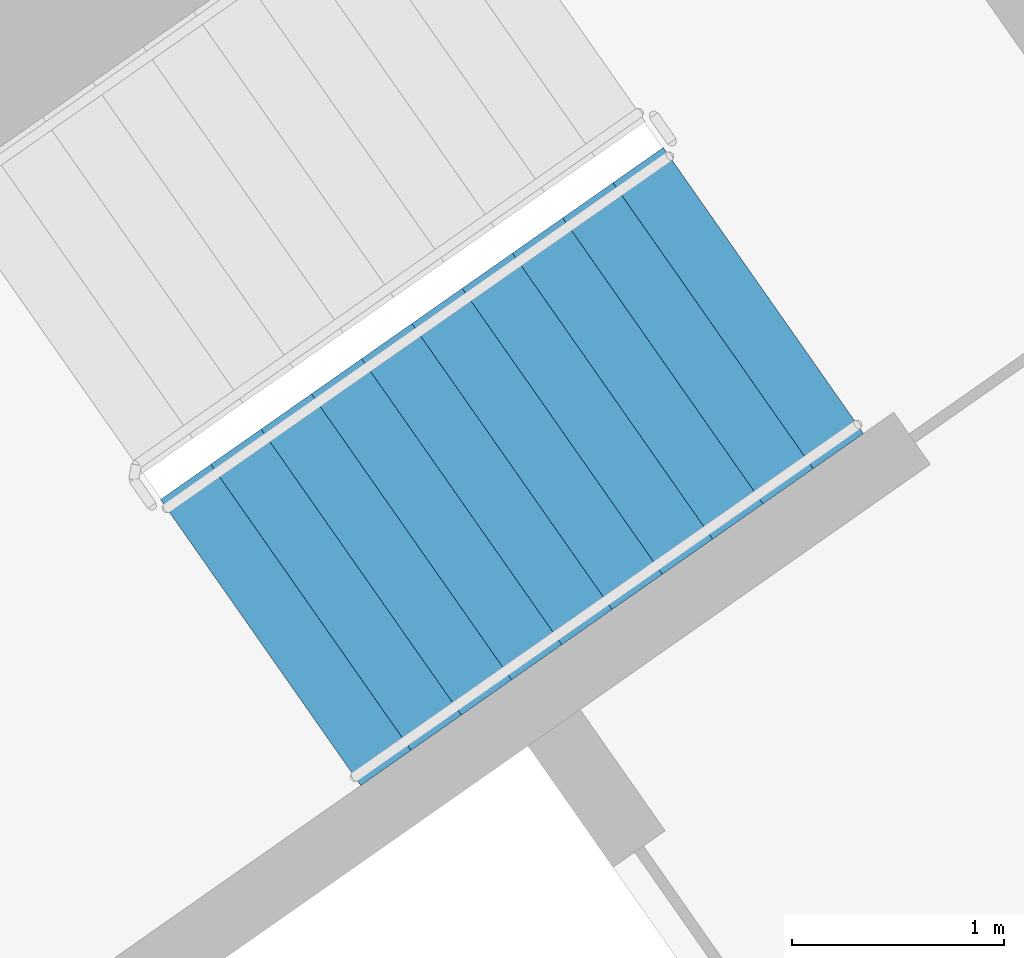
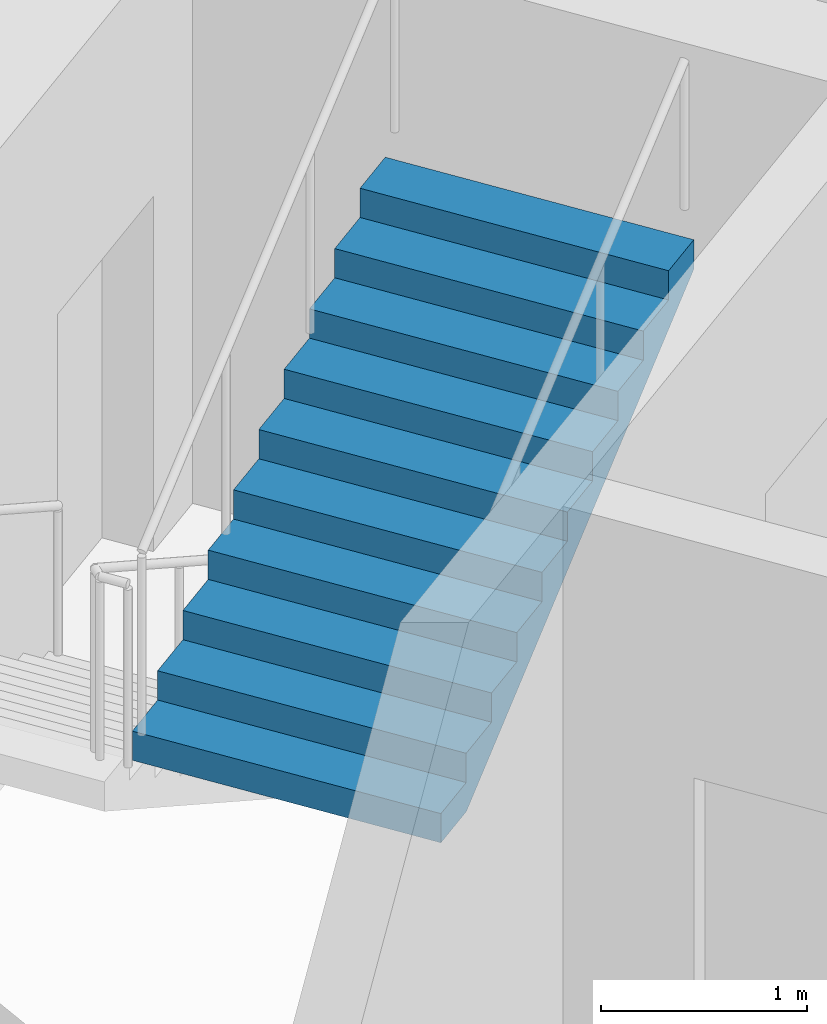
# One storey, part 16 of 28: 1 stair flight, 1 element without a shape of its own.
"""IFC4 building model written with IfcOpenShell, lengths in metres."""

from ifc_helpers import new_model, si_unit, direction, frame, origin, place, context, subcontext, project, spatial, faceted_brep, material, type_object, element, aggregate, save


model = new_model("IFC4")

# Units and contexts
model_context = context("Model", 3, precision=1e-05, world=origin(), true_north=direction((0.0, 1.0)))
body_context = subcontext(model_context, "Body", "Model", "MODEL_VIEW")
ifc_project = project(units=[si_unit("LENGTHUNIT", "METRE"), si_unit("AREAUNIT", "SQUARE_METRE"), si_unit("VOLUMEUNIT", "CUBIC_METRE"), si_unit("PLANEANGLEUNIT", "RADIAN"), si_unit("MASSUNIT", "GRAM", prefix="KILO")], contexts=[model_context])

# Site, building, storey
site_placement = place(None, origin())
site = spatial("IfcSite", under=ifc_project, at=site_placement, CompositionType="ELEMENT")
building_placement = place(site_placement, origin())
building = spatial("IfcBuilding", under=site, at=building_placement, Name="Qamariyya Broadcast Tower", CompositionType="ELEMENT")
storey_placement = place(building_placement, frame((0.0, 0.0, 234.10009765625)))
storey = spatial("IfcBuildingStorey", under=building, at=storey_placement, Name="L56", CompositionType="ELEMENT", Elevation=234.10009765625)

# Stair, stair flight
ifc_material = material(Name="Concrete C50/60", Category="concrete")
stair_type = type_object("IfcStairType", Name="Exit stair 22 risers of 173 mm", PredefinedType="HALF_TURN_STAIR", material=ifc_material)
stair_placement = place(storey_placement, origin())
stair = element("IfcStair", 1, at=stair_placement, inside=storey, type_object=stair_type, Name="L56 Stair E2", PredefinedType="HALF_TURN_STAIR")
stair_flight_type = type_object("IfcStairFlightType", Name="Exit stair flight 11 risers of 173 mm", PredefinedType="STRAIGHT", material=ifc_material)
stair_flight_placement = place(storey_placement, frame((39.215576171875, -50.822998046875, 1.89990234375), z_axis=(0.0, 0.0, 1.0), x_axis=(0.819152044289, 0.573576436351, 0.0)))
stair_flight = element("IfcStairFlight", 2, at=stair_flight_placement, type_object=stair_flight_type, Name="ST-E2 flight 2", NumberOfRisers=11, NumberOfTreads=10, PredefinedType="STRAIGHT", RiserHeight=0.172727273, TreadLength=0.29, context=body_context, shape_type="Brep", body=[
    faceted_brep([(0.0, 0.824951171875, 0.0), (0.0, 0.824951171875, 0.172607421875), (0.2900390625, 0.824951171875, 0.172607421875), (0.2900390625, 0.824951171875, 0.345458984375), (0.580078125, 0.824951171875, 0.345458984375), (0.580078125, 0.824951171875, 0.51806640625), (0.8701171875, 0.824951171875, 0.51806640625), (0.8701171875, 0.824951171875, 0.69091796875), (1.159912109375, 0.824951171875, 0.69091796875), (1.159912109375, 0.824951171875, 0.863525390625), (1.449951171875, 0.824951171875, 0.863525390625), (1.449951171875, 0.824951171875, 1.036376953125), (1.739990234375, 0.824951171875, 1.036376953125), (1.739990234375, 0.824951171875, 1.208984375), (2.030029296875, 0.824951171875, 1.208984375), (2.030029296875, 0.824951171875, 1.3818359375), (2.320068359375, 0.824951171875, 1.3818359375), (2.320068359375, 0.824951171875, 1.554443359375), (2.610107421875, 0.824951171875, 1.554443359375), (2.610107421875, 0.824951171875, 1.727294921875), (2.89990234375, 0.824951171875, 1.727294921875), (2.89990234375, 0.824951171875, 1.552734375), (0.29296875, 0.824951171875, 0.0), (0.29296875, -0.824951171875, 0.0), (2.89990234375, -0.824951171875, 1.552734375), (2.89990234375, -0.824951171875, 1.727294921875), (2.610107421875, -0.824951171875, 1.727294921875), (2.610107421875, -0.824951171875, 1.554443359375), (2.320068359375, -0.824951171875, 1.554443359375), (2.320068359375, -0.824951171875, 1.3818359375), (2.030029296875, -0.824951171875, 1.3818359375), (2.030029296875, -0.824951171875, 1.208984375), (1.739990234375, -0.824951171875, 1.208984375), (1.739990234375, -0.824951171875, 1.036376953125), (1.449951171875, -0.824951171875, 1.036376953125), (1.449951171875, -0.824951171875, 0.863525390625), (1.159912109375, -0.824951171875, 0.863525390625), (1.159912109375, -0.824951171875, 0.69091796875), (0.8701171875, -0.824951171875, 0.69091796875), (0.8701171875, -0.824951171875, 0.51806640625), (0.580078125, -0.824951171875, 0.51806640625), (0.580078125, -0.824951171875, 0.345458984375), (0.2900390625, -0.824951171875, 0.345458984375), (0.2900390625, -0.824951171875, 0.172607421875), (0.0, -0.824951171875, 0.172607421875), (0.0, -0.824951171875, 0.0), (0.0, 0.10009765625, 0.0), (0.0, 0.086669921875, 0.0), (0.0, 0.0732421875, 0.0), (0.0, 0.06005859375, 0.0), (0.0, 0.046630859375, 0.0), (0.0, 0.033447265625, 0.0), (0.0, 0.02001953125, 0.0), (0.0, 0.006591796875, 0.0), (0.0, -0.006591796875, 0.0), (0.0, -0.02001953125, 0.0), (0.0, -0.033447265625, 0.0), (0.0, -0.046630859375, 0.0), (0.0, -0.06005859375, 0.0), (0.0, -0.0732421875, 0.0), (0.0, -0.086669921875, 0.0), (0.0, -0.10009765625, 0.0), (0.0, -0.10009765625, 0.172607421875), (0.0, -0.086669921875, 0.172607421875), (0.0, -0.0732421875, 0.172607421875), (0.0, -0.06005859375, 0.172607421875), (0.0, -0.046630859375, 0.172607421875), (0.0, -0.033447265625, 0.172607421875), (0.0, -0.02001953125, 0.172607421875), (0.0, -0.006591796875, 0.172607421875), (0.0, 0.006591796875, 0.172607421875), (0.0, 0.02001953125, 0.172607421875), (0.0, 0.033447265625, 0.172607421875), (0.0, 0.046630859375, 0.172607421875), (0.0, 0.06005859375, 0.172607421875), (0.0, 0.0732421875, 0.172607421875), (0.0, 0.086669921875, 0.172607421875), (0.0, 0.10009765625, 0.172607421875), (0.2900390625, -0.10009765625, 0.172607421875), (0.2900390625, -0.086669921875, 0.172607421875), (0.2900390625, -0.0732421875, 0.172607421875), (0.2900390625, -0.06005859375, 0.172607421875), (0.2900390625, -0.046630859375, 0.172607421875), (0.2900390625, -0.033447265625, 0.172607421875), (0.2900390625, -0.02001953125, 0.172607421875), (0.2900390625, -0.006591796875, 0.172607421875), (0.2900390625, 0.006591796875, 0.172607421875), (0.2900390625, 0.02001953125, 0.172607421875), (0.2900390625, 0.033447265625, 0.172607421875), (0.2900390625, 0.046630859375, 0.172607421875), (0.2900390625, 0.06005859375, 0.172607421875), (0.2900390625, 0.0732421875, 0.172607421875), (0.2900390625, 0.086669921875, 0.172607421875), (0.2900390625, 0.10009765625, 0.172607421875), (0.2900390625, -0.10009765625, 0.345458984375), (0.2900390625, -0.086669921875, 0.345458984375), (0.2900390625, -0.0732421875, 0.345458984375), (0.2900390625, -0.06005859375, 0.345458984375), (0.2900390625, -0.046630859375, 0.345458984375), (0.2900390625, -0.033447265625, 0.345458984375), (0.2900390625, -0.02001953125, 0.345458984375), (0.2900390625, -0.006591796875, 0.345458984375), (0.2900390625, 0.006591796875, 0.345458984375), (0.2900390625, 0.02001953125, 0.345458984375), (0.2900390625, 0.033447265625, 0.345458984375), (0.2900390625, 0.046630859375, 0.345458984375), (0.2900390625, 0.06005859375, 0.345458984375), (0.2900390625, 0.0732421875, 0.345458984375), (0.2900390625, 0.086669921875, 0.345458984375), (0.2900390625, 0.10009765625, 0.345458984375), (0.580078125, -0.10009765625, 0.345458984375), (0.580078125, -0.086669921875, 0.345458984375), (0.580078125, -0.0732421875, 0.345458984375), (0.580078125, -0.06005859375, 0.345458984375), (0.580078125, -0.046630859375, 0.345458984375), (0.580078125, -0.033447265625, 0.345458984375), (0.580078125, -0.02001953125, 0.345458984375), (0.580078125, -0.006591796875, 0.345458984375), (0.580078125, 0.006591796875, 0.345458984375), (0.580078125, 0.02001953125, 0.345458984375), (0.580078125, 0.033447265625, 0.345458984375), (0.580078125, 0.046630859375, 0.345458984375), (0.580078125, 0.06005859375, 0.345458984375), (0.580078125, 0.0732421875, 0.345458984375), (0.580078125, 0.086669921875, 0.345458984375), (0.580078125, 0.10009765625, 0.345458984375), (0.580078125, -0.10009765625, 0.51806640625), (0.580078125, -0.086669921875, 0.51806640625), (0.580078125, -0.0732421875, 0.51806640625), (0.580078125, -0.06005859375, 0.51806640625), (0.580078125, -0.046630859375, 0.51806640625), (0.580078125, -0.033447265625, 0.51806640625), (0.580078125, -0.02001953125, 0.51806640625), (0.580078125, -0.006591796875, 0.51806640625), (0.580078125, 0.006591796875, 0.51806640625), (0.580078125, 0.02001953125, 0.51806640625), (0.580078125, 0.033447265625, 0.51806640625), (0.580078125, 0.046630859375, 0.51806640625), (0.580078125, 0.06005859375, 0.51806640625), (0.580078125, 0.0732421875, 0.51806640625), (0.580078125, 0.086669921875, 0.51806640625), (0.580078125, 0.10009765625, 0.51806640625), (0.8701171875, -0.10009765625, 0.51806640625), (0.8701171875, -0.086669921875, 0.51806640625), (0.8701171875, -0.0732421875, 0.51806640625), (0.8701171875, -0.06005859375, 0.51806640625), (0.8701171875, -0.046630859375, 0.51806640625), (0.8701171875, -0.033447265625, 0.51806640625), (0.8701171875, -0.02001953125, 0.51806640625), (0.8701171875, -0.006591796875, 0.51806640625), (0.8701171875, 0.006591796875, 0.51806640625), (0.8701171875, 0.02001953125, 0.51806640625), (0.8701171875, 0.033447265625, 0.51806640625), (0.8701171875, 0.046630859375, 0.51806640625), (0.8701171875, 0.06005859375, 0.51806640625), (0.8701171875, 0.0732421875, 0.51806640625), (0.8701171875, 0.086669921875, 0.51806640625), (0.8701171875, 0.10009765625, 0.51806640625), (0.8701171875, -0.10009765625, 0.69091796875), (0.8701171875, -0.086669921875, 0.69091796875), (0.8701171875, -0.0732421875, 0.69091796875), (0.8701171875, -0.06005859375, 0.69091796875), (0.8701171875, -0.046630859375, 0.69091796875), (0.8701171875, -0.033447265625, 0.69091796875), (0.8701171875, -0.02001953125, 0.69091796875), (0.8701171875, -0.006591796875, 0.69091796875), (0.8701171875, 0.006591796875, 0.69091796875), (0.8701171875, 0.02001953125, 0.69091796875), (0.8701171875, 0.033447265625, 0.69091796875), (0.8701171875, 0.046630859375, 0.69091796875), (0.8701171875, 0.06005859375, 0.69091796875), (0.8701171875, 0.0732421875, 0.69091796875), (0.8701171875, 0.086669921875, 0.69091796875), (0.8701171875, 0.10009765625, 0.69091796875), (1.159912109375, -0.10009765625, 0.69091796875), (1.159912109375, -0.086669921875, 0.69091796875), (1.159912109375, -0.0732421875, 0.69091796875), (1.159912109375, -0.06005859375, 0.69091796875), (1.159912109375, -0.046630859375, 0.69091796875), (1.159912109375, -0.033447265625, 0.69091796875), (1.159912109375, -0.02001953125, 0.69091796875), (1.159912109375, -0.006591796875, 0.69091796875), (1.159912109375, 0.006591796875, 0.69091796875), (1.159912109375, 0.02001953125, 0.69091796875), (1.159912109375, 0.033447265625, 0.69091796875), (1.159912109375, 0.046630859375, 0.69091796875), (1.159912109375, 0.06005859375, 0.69091796875), (1.159912109375, 0.0732421875, 0.69091796875), (1.159912109375, 0.086669921875, 0.69091796875), (1.159912109375, 0.10009765625, 0.69091796875), (1.159912109375, -0.10009765625, 0.863525390625), (1.159912109375, -0.086669921875, 0.863525390625), (1.159912109375, -0.0732421875, 0.863525390625), (1.159912109375, -0.06005859375, 0.863525390625), (1.159912109375, -0.046630859375, 0.863525390625), (1.159912109375, -0.033447265625, 0.863525390625), (1.159912109375, -0.02001953125, 0.863525390625), (1.159912109375, -0.006591796875, 0.863525390625), (1.159912109375, 0.006591796875, 0.863525390625), (1.159912109375, 0.02001953125, 0.863525390625), (1.159912109375, 0.033447265625, 0.863525390625), (1.159912109375, 0.046630859375, 0.863525390625), (1.159912109375, 0.06005859375, 0.863525390625), (1.159912109375, 0.0732421875, 0.863525390625), (1.159912109375, 0.086669921875, 0.863525390625), (1.159912109375, 0.10009765625, 0.863525390625), (1.449951171875, -0.10009765625, 0.863525390625), (1.449951171875, -0.086669921875, 0.863525390625), (1.449951171875, -0.0732421875, 0.863525390625), (1.449951171875, -0.06005859375, 0.863525390625), (1.449951171875, -0.046630859375, 0.863525390625), (1.449951171875, -0.033447265625, 0.863525390625), (1.449951171875, -0.02001953125, 0.863525390625), (1.449951171875, -0.006591796875, 0.863525390625), (1.449951171875, 0.006591796875, 0.863525390625), (1.449951171875, 0.02001953125, 0.863525390625), (1.449951171875, 0.033447265625, 0.863525390625), (1.449951171875, 0.046630859375, 0.863525390625), (1.449951171875, 0.06005859375, 0.863525390625), (1.449951171875, 0.0732421875, 0.863525390625), (1.449951171875, 0.086669921875, 0.863525390625), (1.449951171875, 0.10009765625, 0.863525390625), (1.449951171875, -0.10009765625, 1.036376953125), (1.449951171875, -0.086669921875, 1.036376953125), (1.449951171875, -0.0732421875, 1.036376953125), (1.449951171875, -0.06005859375, 1.036376953125), (1.449951171875, -0.046630859375, 1.036376953125), (1.449951171875, -0.033447265625, 1.036376953125), (1.449951171875, -0.02001953125, 1.036376953125), (1.449951171875, -0.006591796875, 1.036376953125), (1.449951171875, 0.006591796875, 1.036376953125), (1.449951171875, 0.02001953125, 1.036376953125), (1.449951171875, 0.033447265625, 1.036376953125), (1.449951171875, 0.046630859375, 1.036376953125), (1.449951171875, 0.06005859375, 1.036376953125), (1.449951171875, 0.0732421875, 1.036376953125), (1.449951171875, 0.086669921875, 1.036376953125), (1.449951171875, 0.10009765625, 1.036376953125), (1.739990234375, -0.10009765625, 1.036376953125), (1.739990234375, -0.086669921875, 1.036376953125), (1.739990234375, -0.0732421875, 1.036376953125), (1.739990234375, -0.06005859375, 1.036376953125), (1.739990234375, -0.046630859375, 1.036376953125), (1.739990234375, -0.033447265625, 1.036376953125), (1.739990234375, -0.02001953125, 1.036376953125), (1.739990234375, -0.006591796875, 1.036376953125), (1.739990234375, 0.006591796875, 1.036376953125), (1.739990234375, 0.02001953125, 1.036376953125), (1.739990234375, 0.033447265625, 1.036376953125), (1.739990234375, 0.046630859375, 1.036376953125), (1.739990234375, 0.06005859375, 1.036376953125), (1.739990234375, 0.0732421875, 1.036376953125), (1.739990234375, 0.086669921875, 1.036376953125), (1.739990234375, 0.10009765625, 1.036376953125), (1.739990234375, -0.10009765625, 1.208984375), (1.739990234375, -0.086669921875, 1.208984375), (1.739990234375, -0.0732421875, 1.208984375), (1.739990234375, -0.06005859375, 1.208984375), (1.739990234375, -0.046630859375, 1.208984375), (1.739990234375, -0.033447265625, 1.208984375), (1.739990234375, -0.02001953125, 1.208984375), (1.739990234375, -0.006591796875, 1.208984375), (1.739990234375, 0.006591796875, 1.208984375), (1.739990234375, 0.02001953125, 1.208984375), (1.739990234375, 0.033447265625, 1.208984375), (1.739990234375, 0.046630859375, 1.208984375), (1.739990234375, 0.06005859375, 1.208984375), (1.739990234375, 0.0732421875, 1.208984375), (1.739990234375, 0.086669921875, 1.208984375), (1.739990234375, 0.10009765625, 1.208984375), (2.030029296875, -0.10009765625, 1.208984375), (2.030029296875, -0.086669921875, 1.208984375), (2.030029296875, -0.0732421875, 1.208984375), (2.030029296875, -0.06005859375, 1.208984375), (2.030029296875, -0.046630859375, 1.208984375), (2.030029296875, -0.033447265625, 1.208984375), (2.030029296875, -0.02001953125, 1.208984375), (2.030029296875, -0.006591796875, 1.208984375), (2.030029296875, 0.006591796875, 1.208984375), (2.030029296875, 0.02001953125, 1.208984375), (2.030029296875, 0.033447265625, 1.208984375), (2.030029296875, 0.046630859375, 1.208984375), (2.030029296875, 0.06005859375, 1.208984375), (2.030029296875, 0.0732421875, 1.208984375), (2.030029296875, 0.086669921875, 1.208984375), (2.030029296875, 0.10009765625, 1.208984375), (2.030029296875, -0.10009765625, 1.3818359375), (2.030029296875, -0.086669921875, 1.3818359375), (2.030029296875, -0.0732421875, 1.3818359375), (2.030029296875, -0.06005859375, 1.3818359375), (2.030029296875, -0.046630859375, 1.3818359375), (2.030029296875, -0.033447265625, 1.3818359375), (2.030029296875, -0.02001953125, 1.3818359375), (2.030029296875, -0.006591796875, 1.3818359375), (2.030029296875, 0.006591796875, 1.3818359375), (2.030029296875, 0.02001953125, 1.3818359375), (2.030029296875, 0.033447265625, 1.3818359375), (2.030029296875, 0.046630859375, 1.3818359375), (2.030029296875, 0.06005859375, 1.3818359375), (2.030029296875, 0.0732421875, 1.3818359375), (2.030029296875, 0.086669921875, 1.3818359375), (2.030029296875, 0.10009765625, 1.3818359375), (2.320068359375, -0.10009765625, 1.3818359375), (2.320068359375, -0.086669921875, 1.3818359375), (2.320068359375, -0.0732421875, 1.3818359375), (2.320068359375, -0.06005859375, 1.3818359375), (2.320068359375, -0.046630859375, 1.3818359375), (2.320068359375, -0.033447265625, 1.3818359375), (2.320068359375, -0.02001953125, 1.3818359375), (2.320068359375, -0.006591796875, 1.3818359375), (2.320068359375, 0.006591796875, 1.3818359375), (2.320068359375, 0.02001953125, 1.3818359375), (2.320068359375, 0.033447265625, 1.3818359375), (2.320068359375, 0.046630859375, 1.3818359375), (2.320068359375, 0.06005859375, 1.3818359375), (2.320068359375, 0.0732421875, 1.3818359375), (2.320068359375, 0.086669921875, 1.3818359375), (2.320068359375, 0.10009765625, 1.3818359375), (2.320068359375, -0.10009765625, 1.554443359375), (2.320068359375, -0.086669921875, 1.554443359375), (2.320068359375, -0.0732421875, 1.554443359375), (2.320068359375, -0.06005859375, 1.554443359375), (2.320068359375, -0.046630859375, 1.554443359375), (2.320068359375, -0.033447265625, 1.554443359375), (2.320068359375, -0.02001953125, 1.554443359375), (2.320068359375, -0.006591796875, 1.554443359375), (2.320068359375, 0.006591796875, 1.554443359375), (2.320068359375, 0.02001953125, 1.554443359375), (2.320068359375, 0.033447265625, 1.554443359375), (2.320068359375, 0.046630859375, 1.554443359375), (2.320068359375, 0.06005859375, 1.554443359375), (2.320068359375, 0.0732421875, 1.554443359375), (2.320068359375, 0.086669921875, 1.554443359375), (2.320068359375, 0.10009765625, 1.554443359375), (2.610107421875, -0.10009765625, 1.554443359375), (2.610107421875, -0.086669921875, 1.554443359375), (2.610107421875, -0.0732421875, 1.554443359375), (2.610107421875, -0.06005859375, 1.554443359375), (2.610107421875, -0.046630859375, 1.554443359375), (2.610107421875, -0.033447265625, 1.554443359375), (2.610107421875, -0.02001953125, 1.554443359375), (2.610107421875, -0.006591796875, 1.554443359375), (2.610107421875, 0.006591796875, 1.554443359375), (2.610107421875, 0.02001953125, 1.554443359375), (2.610107421875, 0.033447265625, 1.554443359375), (2.610107421875, 0.046630859375, 1.554443359375), (2.610107421875, 0.06005859375, 1.554443359375), (2.610107421875, 0.0732421875, 1.554443359375), (2.610107421875, 0.086669921875, 1.554443359375), (2.610107421875, 0.10009765625, 1.554443359375), (2.610107421875, -0.10009765625, 1.727294921875), (2.610107421875, -0.086669921875, 1.727294921875), (2.610107421875, -0.0732421875, 1.727294921875), (2.610107421875, -0.06005859375, 1.727294921875), (2.610107421875, -0.046630859375, 1.727294921875), (2.610107421875, -0.033447265625, 1.727294921875), (2.610107421875, -0.02001953125, 1.727294921875), (2.610107421875, -0.006591796875, 1.727294921875), (2.610107421875, 0.006591796875, 1.727294921875), (2.610107421875, 0.02001953125, 1.727294921875), (2.610107421875, 0.033447265625, 1.727294921875), (2.610107421875, 0.046630859375, 1.727294921875), (2.610107421875, 0.06005859375, 1.727294921875), (2.610107421875, 0.0732421875, 1.727294921875), (2.610107421875, 0.086669921875, 1.727294921875), (2.610107421875, 0.10009765625, 1.727294921875), (2.89990234375, -0.10009765625, 1.727294921875), (2.89990234375, -0.086669921875, 1.727294921875), (2.89990234375, -0.0732421875, 1.727294921875), (2.89990234375, -0.06005859375, 1.727294921875), (2.89990234375, -0.046630859375, 1.727294921875), (2.89990234375, -0.033447265625, 1.727294921875), (2.89990234375, -0.02001953125, 1.727294921875), (2.89990234375, -0.006591796875, 1.727294921875), (2.89990234375, 0.006591796875, 1.727294921875), (2.89990234375, 0.02001953125, 1.727294921875), (2.89990234375, 0.033447265625, 1.727294921875), (2.89990234375, 0.046630859375, 1.727294921875), (2.89990234375, 0.06005859375, 1.727294921875), (2.89990234375, 0.0732421875, 1.727294921875), (2.89990234375, 0.086669921875, 1.727294921875), (2.89990234375, 0.10009765625, 1.727294921875), (2.89990234375, -0.10009765625, 1.552734375), (2.89990234375, -0.086669921875, 1.552734375), (2.89990234375, -0.0732421875, 1.552734375), (2.89990234375, -0.06005859375, 1.552734375), (2.89990234375, -0.046630859375, 1.552734375), (2.89990234375, -0.033447265625, 1.552734375), (2.89990234375, -0.02001953125, 1.552734375), (2.89990234375, -0.006591796875, 1.552734375), (2.89990234375, 0.006591796875, 1.552734375), (2.89990234375, 0.02001953125, 1.552734375), (2.89990234375, 0.033447265625, 1.552734375), (2.89990234375, 0.046630859375, 1.552734375), (2.89990234375, 0.06005859375, 1.552734375), (2.89990234375, 0.0732421875, 1.552734375), (2.89990234375, 0.086669921875, 1.552734375), (2.89990234375, 0.10009765625, 1.552734375), (0.29296875, -0.10009765625, 0.0), (0.29296875, -0.086669921875, 0.0), (0.29296875, -0.0732421875, 0.0), (0.29296875, -0.06005859375, 0.0), (0.29296875, -0.046630859375, 0.0), (0.29296875, -0.033447265625, 0.0), (0.29296875, -0.02001953125, 0.0), (0.29296875, -0.006591796875, 0.0), (0.29296875, 0.006591796875, 0.0), (0.29296875, 0.02001953125, 0.0), (0.29296875, 0.033447265625, 0.0), (0.29296875, 0.046630859375, 0.0), (0.29296875, 0.06005859375, 0.0), (0.29296875, 0.0732421875, 0.0), (0.29296875, 0.086669921875, 0.0), (0.29296875, 0.10009765625, 0.0)], [[[0, 1, 2, 3, 4, 5, 6, 7, 8, 9, 10, 11, 12, 13, 14, 15, 16, 17, 18, 19, 20, 21, 22]], [[23, 24, 25, 26, 27, 28, 29, 30, 31, 32, 33, 34, 35, 36, 37, 38, 39, 40, 41, 42, 43, 44, 45]], [[0, 46, 47, 48, 49, 50, 51, 52, 53, 54, 55, 56, 57, 58, 59, 60, 61, 45, 44, 62, 63, 64, 65, 66, 67, 68, 69, 70, 71, 72, 73, 74, 75, 76, 77, 1]], [[1, 77, 76, 75, 74, 73, 72, 71, 70, 69, 68, 67, 66, 65, 64, 63, 62, 44, 43, 78, 79, 80, 81, 82, 83, 84, 85, 86, 87, 88, 89, 90, 91, 92, 93, 2]], [[2, 93, 92, 91, 90, 89, 88, 87, 86, 85, 84, 83, 82, 81, 80, 79, 78, 43, 42, 94, 95, 96, 97, 98, 99, 100, 101, 102, 103, 104, 105, 106, 107, 108, 109, 3]], [[3, 109, 108, 107, 106, 105, 104, 103, 102, 101, 100, 99, 98, 97, 96, 95, 94, 42, 41, 110, 111, 112, 113, 114, 115, 116, 117, 118, 119, 120, 121, 122, 123, 124, 125, 4]], [[4, 125, 124, 123, 122, 121, 120, 119, 118, 117, 116, 115, 114, 113, 112, 111, 110, 41, 40, 126, 127, 128, 129, 130, 131, 132, 133, 134, 135, 136, 137, 138, 139, 140, 141, 5]], [[5, 141, 140, 139, 138, 137, 136, 135, 134, 133, 132, 131, 130, 129, 128, 127, 126, 40, 39, 142, 143, 144, 145, 146, 147, 148, 149, 150, 151, 152, 153, 154, 155, 156, 157, 6]], [[6, 157, 156, 155, 154, 153, 152, 151, 150, 149, 148, 147, 146, 145, 144, 143, 142, 39, 38, 158, 159, 160, 161, 162, 163, 164, 165, 166, 167, 168, 169, 170, 171, 172, 173, 7]], [[7, 173, 172, 171, 170, 169, 168, 167, 166, 165, 164, 163, 162, 161, 160, 159, 158, 38, 37, 174, 175, 176, 177, 178, 179, 180, 181, 182, 183, 184, 185, 186, 187, 188, 189, 8]], [[8, 189, 188, 187, 186, 185, 184, 183, 182, 181, 180, 179, 178, 177, 176, 175, 174, 37, 36, 190, 191, 192, 193, 194, 195, 196, 197, 198, 199, 200, 201, 202, 203, 204, 205, 9]], [[9, 205, 204, 203, 202, 201, 200, 199, 198, 197, 196, 195, 194, 193, 192, 191, 190, 36, 35, 206, 207, 208, 209, 210, 211, 212, 213, 214, 215, 216, 217, 218, 219, 220, 221, 10]], [[10, 221, 220, 219, 218, 217, 216, 215, 214, 213, 212, 211, 210, 209, 208, 207, 206, 35, 34, 222, 223, 224, 225, 226, 227, 228, 229, 230, 231, 232, 233, 234, 235, 236, 237, 11]], [[11, 237, 236, 235, 234, 233, 232, 231, 230, 229, 228, 227, 226, 225, 224, 223, 222, 34, 33, 238, 239, 240, 241, 242, 243, 244, 245, 246, 247, 248, 249, 250, 251, 252, 253, 12]], [[12, 253, 252, 251, 250, 249, 248, 247, 246, 245, 244, 243, 242, 241, 240, 239, 238, 33, 32, 254, 255, 256, 257, 258, 259, 260, 261, 262, 263, 264, 265, 266, 267, 268, 269, 13]], [[13, 269, 268, 267, 266, 265, 264, 263, 262, 261, 260, 259, 258, 257, 256, 255, 254, 32, 31, 270, 271, 272, 273, 274, 275, 276, 277, 278, 279, 280, 281, 282, 283, 284, 285, 14]], [[14, 285, 284, 283, 282, 281, 280, 279, 278, 277, 276, 275, 274, 273, 272, 271, 270, 31, 30, 286, 287, 288, 289, 290, 291, 292, 293, 294, 295, 296, 297, 298, 299, 300, 301, 15]], [[15, 301, 300, 299, 298, 297, 296, 295, 294, 293, 292, 291, 290, 289, 288, 287, 286, 30, 29, 302, 303, 304, 305, 306, 307, 308, 309, 310, 311, 312, 313, 314, 315, 316, 317, 16]], [[16, 317, 316, 315, 314, 313, 312, 311, 310, 309, 308, 307, 306, 305, 304, 303, 302, 29, 28, 318, 319, 320, 321, 322, 323, 324, 325, 326, 327, 328, 329, 330, 331, 332, 333, 17]], [[17, 333, 332, 331, 330, 329, 328, 327, 326, 325, 324, 323, 322, 321, 320, 319, 318, 28, 27, 334, 335, 336, 337, 338, 339, 340, 341, 342, 343, 344, 345, 346, 347, 348, 349, 18]], [[18, 349, 348, 347, 346, 345, 344, 343, 342, 341, 340, 339, 338, 337, 336, 335, 334, 27, 26, 350, 351, 352, 353, 354, 355, 356, 357, 358, 359, 360, 361, 362, 363, 364, 365, 19]], [[19, 365, 364, 363, 362, 361, 360, 359, 358, 357, 356, 355, 354, 353, 352, 351, 350, 26, 25, 366, 367, 368, 369, 370, 371, 372, 373, 374, 375, 376, 377, 378, 379, 380, 381, 20]], [[20, 381, 380, 379, 378, 377, 376, 375, 374, 373, 372, 371, 370, 369, 368, 367, 366, 25, 24, 382, 383, 384, 385, 386, 387, 388, 389, 390, 391, 392, 393, 394, 395, 396, 397, 21]], [[21, 397, 396, 395, 394, 393, 392, 391, 390, 389, 388, 387, 386, 385, 384, 383, 382, 24, 23, 398, 399, 400, 401, 402, 403, 404, 405, 406, 407, 408, 409, 410, 411, 412, 413, 22]], [[22, 413, 412, 411, 410, 409, 408, 407, 406, 405, 404, 403, 402, 401, 400, 399, 398, 23, 45, 61, 60, 59, 58, 57, 56, 55, 54, 53, 52, 51, 50, 49, 48, 47, 46, 0]]]),
])
aggregate(stair, [stair_flight])

save(model, "model.ifc")
